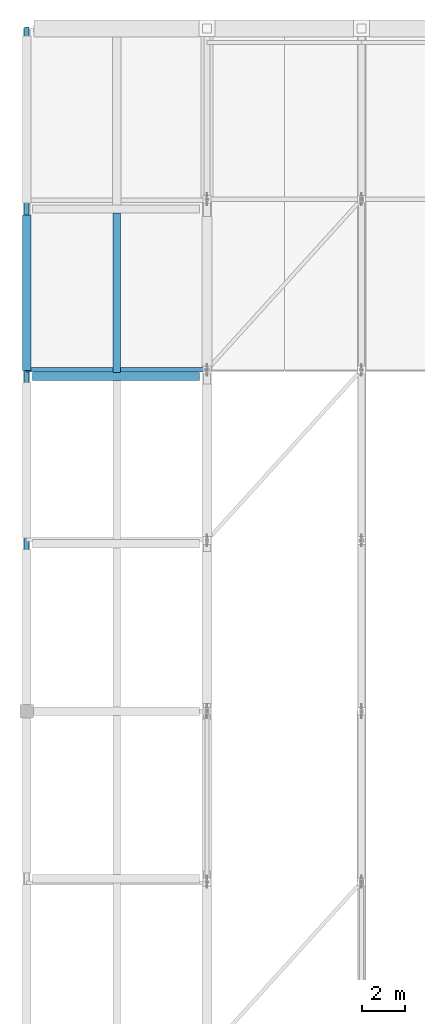
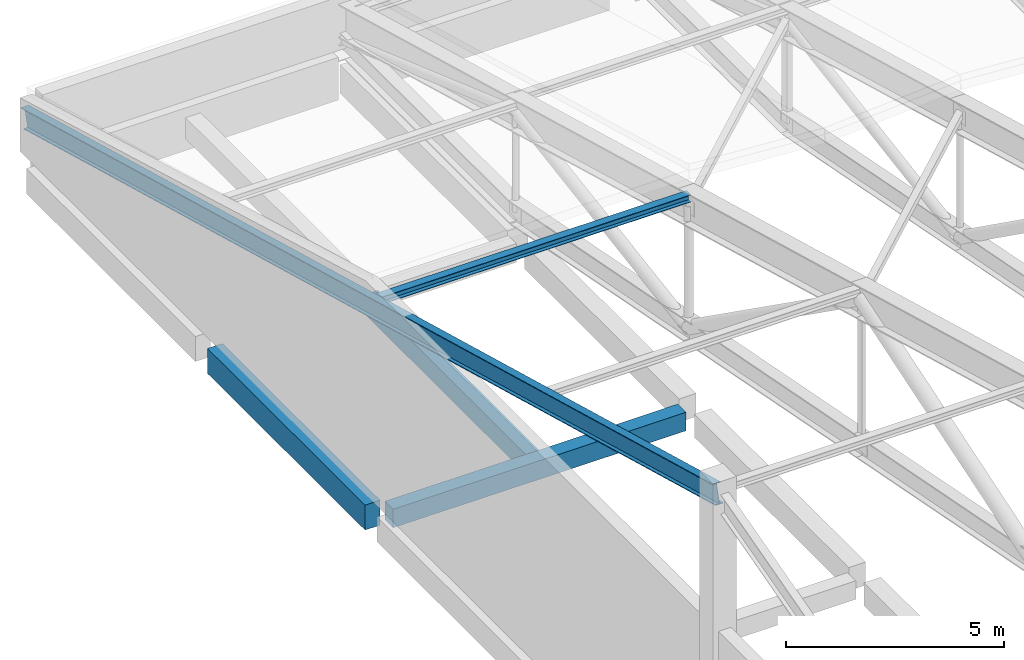
# One storey, part 16 of 53: 4 beams, 1 member.
"""IFC4 building model written with IfcOpenShell, lengths in metres."""

import ifcopenshell
import ifcopenshell.guid

model = None  # the IFC model being written
_history = None  # IfcOwnerHistory: only IFC2X3 demands one
_inside = {}  # id of a spatial element -> (the spatial element, [elements in it])
_under = {}  # id of a project, library or spatial element -> (it, [spatial elements below it])
_declared = {}  # id of a project -> (the project, [libraries it declares])
_typed = {}  # id of a type object -> (the type object, [elements of that type])
_made_of = {}  # id of a material, layer set ... -> (it, [elements and type objects made of it])


def new_model(schema):
    """Start an empty IFC model of exactly this schema.

    Asked for "IFC4X3", IfcOpenShell would pick the latest addendum, in which some entities
    have other attributes; the version numbers below select the first issue.
    IFC2X3 requires an IfcOwnerHistory on every rooted entity: one is made here for all.
    """
    global model, _history
    if schema == "IFC4X3":
        model = ifcopenshell.file(schema_version=(4, 3, 0, 0))
    else:
        model = ifcopenshell.file(schema=schema)
    _inside.clear()
    _under.clear()
    _declared.clear()
    _typed.clear()
    _made_of.clear()
    _history = None
    if model.schema == "IFC2X3":
        org = make("IfcOrganization", Name="unknown")
        user = make(
            "IfcPersonAndOrganization",
            ThePerson=make("IfcPerson", FamilyName="unknown"),
            TheOrganization=org,
        )
        app = make(
            "IfcApplication",
            ApplicationDeveloper=org,
            Version="unknown",
            ApplicationFullName="unknown",
            ApplicationIdentifier="unknown",
        )
        _history = make(
            "IfcOwnerHistory",
            OwningUser=user,
            OwningApplication=app,
            ChangeAction="ADDED",
            CreationDate=0,
        )
    return model


def make(cls, **values):
    """One entity of the class cls with the attributes given. An attribute that is None is left unset."""
    return model.create_entity(
        cls, **{name: value for name, value in values.items() if value is not None}
    )


def rooted(cls, **values):
    """An entity with a GlobalId (a new one), such as an element, a storey or a relation."""
    return make(cls, GlobalId=ifcopenshell.guid.new(), OwnerHistory=_history, **values)


def si_unit(unit_type, name, prefix=None):
    """IfcSIUnit, for example si_unit("LENGTHUNIT", "METRE", prefix="MILLI")."""
    return make("IfcSIUnit", UnitType=unit_type, Prefix=prefix, Name=name)


def assignment(units):
    """IfcUnitAssignment: the units of a project."""
    return None if units is None else make("IfcUnitAssignment", Units=units)


def point(xyz):
    """IfcCartesianPoint."""
    return None if xyz is None else make("IfcCartesianPoint", Coordinates=xyz)


def direction(xyz):
    """IfcDirection."""
    return None if xyz is None else make("IfcDirection", DirectionRatios=xyz)


def frame(location, z_axis=None, x_axis=None):
    """IfcAxis2Placement3D, a coordinate frame: its origin and axes. An axis left out is left unset."""
    return make(
        "IfcAxis2Placement3D",
        Location=point(location),
        Axis=direction(z_axis),
        RefDirection=direction(x_axis),
    )


def frame_2d(location, x_axis=None):
    """IfcAxis2Placement2D, a coordinate frame in the plane: its origin and x axis."""
    return make(
        "IfcAxis2Placement2D", Location=point(location), RefDirection=direction(x_axis)
    )


def origin():
    """The frame at (0, 0, 0) with its axes left unset."""
    return frame((0.0, 0.0, 0.0))


def origin_2d():
    """The frame at (0, 0) in the plane with its x axis left unset."""
    return frame_2d((0.0, 0.0))


def place(relative_to, where):
    """IfcLocalPlacement: puts the frame where relative to a parent placement (None: the world)."""
    return make(
        "IfcLocalPlacement", PlacementRelTo=relative_to, RelativePlacement=where
    )


def context(
    kind, dimensions, precision=None, world=None, true_north=None, identifier=None
):
    """IfcGeometricRepresentationContext, for example the 3D "Model" context."""
    return make(
        "IfcGeometricRepresentationContext",
        ContextIdentifier=identifier,
        ContextType=kind,
        CoordinateSpaceDimension=dimensions,
        Precision=precision,
        WorldCoordinateSystem=world,
        TrueNorth=true_north,
    )


def subcontext(parent, identifier, kind, view, scale=None):
    """IfcGeometricRepresentationSubContext, for example "Body" below "Model"."""
    return make(
        "IfcGeometricRepresentationSubContext",
        ContextIdentifier=identifier,
        ContextType=kind,
        ParentContext=parent,
        TargetScale=scale,
        TargetView=view,
    )


def project(units=None, contexts=None):
    """IfcProject with its units and contexts."""
    return rooted(
        "IfcProject",
        Name="project",
        RepresentationContexts=contexts,
        UnitsInContext=assignment(units),
    )


def spatial(cls, under=None, at=None, **own):
    """A site, building, storey or space (cls), placed at a placement, below another one or the project."""
    s = rooted(cls, ObjectPlacement=at, **own)
    if under is not None:
        _under.setdefault(under.id(), (under, []))[1].append(s)
    return s


def profile(cls, at=None, kind="AREA", **sizes):
    """A parametric profile (cls). Its sizes go by their IFC names, for example OverallWidth=200.0."""
    return make(cls, ProfileType=kind, Position=at, **sizes)


def rectangle(**sizes):
    """IfcRectangleProfileDef."""
    return profile("IfcRectangleProfileDef", **sizes)


def i_section(**sizes):
    """IfcIShapeProfileDef."""
    return profile("IfcIShapeProfileDef", **sizes)


def extrude(swept, where, along, depth):
    """IfcExtrudedAreaSolid: the profile swept, set in the frame where, extruded along a direction by depth."""
    return make(
        "IfcExtrudedAreaSolid",
        SweptArea=swept,
        Position=where,
        ExtrudedDirection=direction(along),
        Depth=depth,
    )


def shape(context_of_items, identifier, shape_type, items):
    """IfcShapeRepresentation: the items that make up one representation, for example the "Body"."""
    return make(
        "IfcShapeRepresentation",
        ContextOfItems=context_of_items,
        RepresentationIdentifier=identifier,
        RepresentationType=shape_type,
        Items=items,
    )


def material(Name=None, Category=None):
    """IfcMaterial."""
    return make("IfcMaterial", Name=Name, Category=Category)


def material_profile(
    of_material, cross_section, Name=None, Category=None, Priority=None
):
    """IfcMaterialProfile: a cross section and its material."""
    return make(
        "IfcMaterialProfile",
        Name=Name,
        Material=of_material,
        Profile=cross_section,
        Priority=Priority,
        Category=Category,
    )


def profile_set(profiles, Name=None, composite=None):
    """IfcMaterialProfileSet."""
    return make(
        "IfcMaterialProfileSet",
        Name=Name,
        MaterialProfiles=profiles,
        CompositeProfile=composite,
    )


def made_of(thing, what):
    """Note that an element or type object is made of a material, layer set ...; save() writes the relation."""
    if what is not None:
        _made_of.setdefault(what.id(), (what, []))[1].append(thing)
    return thing


def type_object(cls, material=None, **own):
    """A type object (cls), such as IfcWallType, which elements share."""
    return made_of(rooted(cls, **own), material)


def element(
    cls,
    number,
    at=None,
    inside=None,
    cuts=None,
    type_object=None,
    material=None,
    context=None,
    identifier="Body",
    shape_type=None,
    held_by="IfcProductDefinitionShape",
    body=None,
    shapes=None,
    **own,
):
    """One element of the class cls, such as IfcWall. Its Tag is "e" and its number.

    at: its placement. inside: the storey or other place that contains it. cuts: it is an
    opening in that element (IfcRelVoidsElement). A single representation is given by context,
    identifier, shape_type and body (its items); several are given by shapes. held_by: the class
    of the entity that holds the representations. save() writes the other relations.
    """
    e = rooted(cls, Tag="e%d" % number, ObjectPlacement=at, **own)
    if body is not None:
        shapes = [shape(context, identifier, shape_type, body)]
    if shapes is not None:
        e.Representation = make(held_by, Representations=shapes)
    if inside is not None:
        _inside.setdefault(inside.id(), (inside, []))[1].append(e)
    if cuts is not None:
        rooted(
            "IfcRelVoidsElement", RelatingBuildingElement=cuts, RelatedOpeningElement=e
        )
    if type_object is not None:
        _typed.setdefault(type_object.id(), (type_object, []))[1].append(e)
    return made_of(e, material)


def aggregate(whole, parts):
    """IfcRelAggregates: a whole, such as a stair, and the parts it consists of."""
    return rooted("IfcRelAggregates", RelatingObject=whole, RelatedObjects=parts)


def save(model, path):
    """Write the relations noted so far, then the file.

    IfcRelAggregates (storeys below a building ...), IfcRelContainedInSpatialStructure (elements
    in a storey), IfcRelDefinesByType, IfcRelAssociatesMaterial and IfcRelDeclares: one each for
    every whole, place, type object, material and project.
    """
    for whole, parts in _under.values():
        aggregate(whole, parts)
    for where, things in _inside.values():
        rooted(
            "IfcRelContainedInSpatialStructure",
            RelatedElements=things,
            RelatingStructure=where,
        )
    for kind, things in _typed.values():
        rooted("IfcRelDefinesByType", RelatedObjects=things, RelatingType=kind)
    for what, things in _made_of.values():
        rooted("IfcRelAssociatesMaterial", RelatedObjects=things, RelatingMaterial=what)
    for by, libraries in _declared.values():
        rooted("IfcRelDeclares", RelatingContext=by, RelatedDefinitions=libraries)
    model.write(path)


model = new_model("IFC4")

# Units and contexts
model_context = context("Model", 3, precision=1e-05, world=origin(), true_north=direction((0.0, 1.0)))
body_context = subcontext(model_context, "Body", "Model", "MODEL_VIEW")
ifc_project = project(units=[si_unit("LENGTHUNIT", "METRE"), si_unit("AREAUNIT", "SQUARE_METRE"), si_unit("VOLUMEUNIT", "CUBIC_METRE"), si_unit("PLANEANGLEUNIT", "RADIAN"), si_unit("MASSUNIT", "GRAM", prefix="KILO")], contexts=[model_context])

# Site, building, storey
site_placement = place(None, origin())
site = spatial("IfcSite", under=ifc_project, at=site_placement, CompositionType="ELEMENT")
building_placement = place(site_placement, origin())
building = spatial("IfcBuilding", under=site, at=building_placement, Name="Pellamere Symphony Hall", CompositionType="ELEMENT")
storey_placement = place(building_placement, frame((0.0, 0.0, 24.0)))
storey = spatial("IfcBuildingStorey", under=building, at=storey_placement, Name="L05", CompositionType="ELEMENT", Elevation=24.0)

# Beams
ifc_material_1 = material(Name="Concrete 35 MPa", Category="concrete")
ifc_material_profile_1 = material_profile(ifc_material_1, rectangle(XDim=0.35009765625, YDim=0.550048828125, at=origin_2d()), Name="RC 350x550")
ifc_profile_set_1 = profile_set([ifc_material_profile_1], Name="Concrete 35 MPa")
beam_type_1 = type_object("IfcBeamType", Name="RC CB-10 350x550", PredefinedType="BEAM", material=ifc_profile_set_1)
beam_1_placement = place(storey_placement, frame((54.60009765625, 77.590087890625, -0.550048828125), z_axis=(0.0, 1.0, 0.0), x_axis=(-1.0, 0.0, 0.0)))
element("IfcBeam", 1, at=beam_1_placement, inside=storey, type_object=beam_type_1, Name="Secondary Floor Beam CB-10-M0610 (L05)", PredefinedType="BEAM", context=body_context, shape_type="SweptSolid", body=[
    extrude(rectangle(XDim=0.35009765625, YDim=0.550048828125, at=origin_2d()), origin(), (0.0, 0.0, 1.0), 7.419921875),
])
ifc_material_2 = material(Name="Concrete 40 MPa", Category="concrete")
ifc_material_profile_2 = material_profile(ifc_material_2, rectangle(XDim=0.39990234375, YDim=0.699951171875, at=origin_2d()), Name="RC 400x700")
ifc_profile_set_2 = profile_set([ifc_material_profile_2], Name="Concrete 40 MPa")
beam_type_2 = type_object("IfcBeamType", Name="RC CB-13 400x700", PredefinedType="SPANDREL", material=ifc_profile_set_2)
beam_2_placement = place(storey_placement, frame((50.39990234375, 77.675048828125, -0.610107421875), z_axis=(0.0, 1.0, 0.0), x_axis=(-1.0, 0.0, 0.0)))
element("IfcBeam", 2, at=beam_2_placement, inside=storey, type_object=beam_type_2, Name="Girder CB-13-Y2076 (L05)", PredefinedType="SPANDREL", context=body_context, shape_type="SweptSolid", body=[
    extrude(rectangle(XDim=0.39990234375, YDim=0.699951171875, at=origin_2d()), origin(), (0.0, 0.0, 1.0), 7.25),
])
ifc_material_profile_3 = material_profile(ifc_material_2, rectangle(XDim=0.3798828125, YDim=0.52001953125, at=origin_2d()), Name="RC 380x520")
ifc_profile_set_3 = profile_set([ifc_material_profile_3], Name="Concrete 40 MPa")
beam_type_3 = type_object("IfcBeamType", Name="RC CB-21 380x520", PredefinedType="BEAM", material=ifc_profile_set_3)
beam_3_placement = place(storey_placement, frame((50.675048828125, 77.39990234375, -0.52001953125), z_axis=(1.0, 0.0, 0.0), x_axis=(0.0, 1.0, 0.0)))
element("IfcBeam", 3, at=beam_3_placement, inside=storey, type_object=beam_type_3, Name="Girder CB-21-X2051 (L05)", PredefinedType="BEAM", context=body_context, shape_type="SweptSolid", body=[
    extrude(rectangle(XDim=0.3798828125, YDim=0.52001953125, at=origin_2d()), origin(), (0.0, 0.0, 1.0), 7.77490234375),
])
ifc_material_3 = material(Name="Steel CSA G40.21 350W", Category="steel")
ifc_material_profile_4 = material_profile(ifc_material_3, i_section(OverallWidth=0.2109375, OverallDepth=0.5390625, WebThickness=0.01171875, FlangeThickness=0.018798828125, at=origin_2d()), Name="W530X109")
ifc_profile_set_4 = profile_set([ifc_material_profile_4], Name="Steel CSA G40.21 350W")
beam_type_4 = type_object("IfcBeamType", Name="Steel Beam SB-14 W530X109", PredefinedType="BEAM", material=ifc_profile_set_4)
beam_4_placement = place(storey_placement, frame((50.39990234375, 61.800048828125, 9.6201171875), z_axis=(0.0, 0.964397416122, -0.264457224855), x_axis=(-1.0, 0.0, 0.0)))
element("IfcBeam", 4, at=beam_4_placement, inside=storey, type_object=beam_type_4, Name="Crystal Gable Rafter W-N", PredefinedType="BEAM", context=body_context, shape_type="SweptSolid", body=[
    extrude(i_section(OverallWidth=0.2109375, OverallDepth=0.5390625, WebThickness=0.01171875, FlangeThickness=0.018798828125, at=origin_2d()), origin(), (0.0, 0.0, 1.0), 32.97412109375),
])

# Member
ifc_material_profile_5 = material_profile(ifc_material_3, i_section(OverallWidth=0.2041015625, OverallDepth=0.2060546875, WebThickness=0.0078125, FlangeThickness=0.0126953125, at=origin_2d()), Name="W200X52")
ifc_profile_set_5 = profile_set([ifc_material_profile_5], Name="Steel CSA G40.21 350W")
member_type = type_object("IfcMemberType", Name="Steel Member SM-15 W200X52", PredefinedType="PURLIN", material=ifc_profile_set_5)
member_placement = place(storey_placement, frame((50.39990234375, 77.699951171875, 5.3798828125), z_axis=(1.0, 0.0, 0.0), x_axis=(0.0, 1.0, 0.0)))
element("IfcMember", 5, at=member_placement, inside=storey, type_object=member_type, Name="Crystal Foyer Roof Purlin W.6", PredefinedType="PURLIN", context=body_context, shape_type="SweptSolid", body=[
    extrude(i_section(OverallWidth=0.2041015625, OverallDepth=0.2060546875, WebThickness=0.0078125, FlangeThickness=0.0126953125, at=origin_2d()), origin(), (0.0, 0.0, 1.0), 8.400146484375),
])

save(model, "model.ifc")
